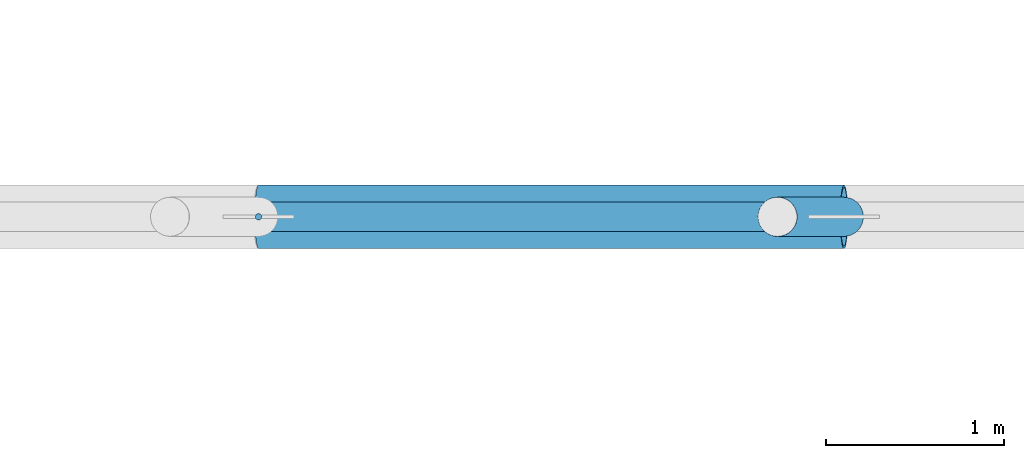
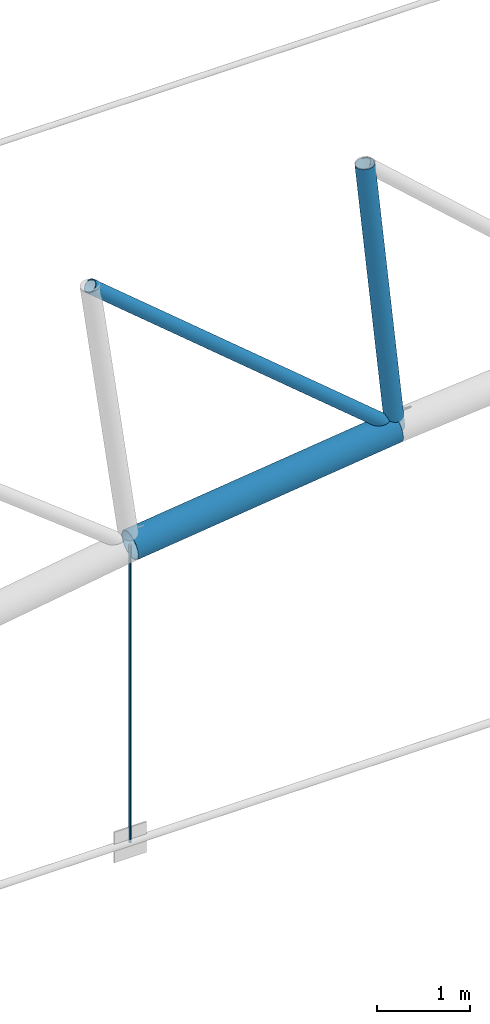
# One storey, part 84 of 321: 4 members.
"""IFC4 building model written with IfcOpenShell, lengths in metres."""

from ifc_helpers import new_model, si_unit, direction, frame, origin, origin_2d, place, context, subcontext, project, spatial, circle, hollow_circle, extrude, material, material_profile, profile_set, type_object, element, save


model = new_model("IFC4")

# Units and contexts
model_context = context("Model", 3, precision=1e-05, world=origin(), true_north=direction((0.0, 1.0)))
body_context = subcontext(model_context, "Body", "Model", "MODEL_VIEW")
ifc_project = project(units=[si_unit("LENGTHUNIT", "METRE"), si_unit("AREAUNIT", "SQUARE_METRE"), si_unit("VOLUMEUNIT", "CUBIC_METRE"), si_unit("PLANEANGLEUNIT", "RADIAN"), si_unit("MASSUNIT", "GRAM", prefix="KILO")], contexts=[model_context])

# Site, building, storey
site_placement = place(None, origin())
site = spatial("IfcSite", under=ifc_project, at=site_placement, CompositionType="ELEMENT")
building_placement = place(site_placement, origin())
building = spatial("IfcBuilding", under=site, at=building_placement, Name="Ravi Spectrum Wholesale Market", CompositionType="ELEMENT")
storey_placement = place(building_placement, frame((0.0, 0.0, 10.800048828125)))
storey = spatial("IfcBuildingStorey", under=building, at=storey_placement, Name="L02", CompositionType="ELEMENT", Elevation=10.800048828125)

# Members
ifc_material_1 = material(Name="Steel S355", Category="steel")
ifc_material_profile_1 = material_profile(ifc_material_1, hollow_circle(Radius=0.084228515625, WallThickness=0.00634765625, at=origin_2d()))
ifc_profile_set_1 = profile_set([ifc_material_profile_1], Name="Steel S355")
member_type_1 = type_object("IfcMemberType", Name="CHS 168.3x6.3 brace", PredefinedType="BRACE", material=ifc_profile_set_1)
member_1_placement = place(storey_placement, frame((56.321533203125, 126.0, 7.45458984375), z_axis=(0.766252893925, 0.0, -0.642539105854), x_axis=(0.0, 1.0, 0.0)))
element("IfcMember", 1, at=member_1_placement, inside=storey, type_object=member_type_1, Name="H1-MB-L02-727", PredefinedType="BRACE", context=body_context, shape_type="SweptSolid", body=[
    extrude(hollow_circle(Radius=0.084228515625, WallThickness=0.00634765625, at=origin_2d()), origin(), (0.0, 0.0, 1.0), 4.9296875),
])
ifc_material_2 = material(Name="Steel S355", Category="steel")
ifc_material_profile_2 = material_profile(ifc_material_2, hollow_circle(Radius=0.109619140625, WallThickness=0.008056640625, at=origin_2d()))
ifc_profile_set_2 = profile_set([ifc_material_profile_2], Name="Steel S355")
member_type_2 = type_object("IfcMemberType", Name="CHS 219.1x8 post", PredefinedType="POST", material=ifc_profile_set_2)
member_2_placement = place(storey_placement, frame((59.726806640625, 126.0, 7.867919921875), z_axis=(0.103350310801, 0.0, -0.994645018716), x_axis=(0.0, 1.0, 0.0)))
element("IfcMember", 2, at=member_2_placement, inside=storey, type_object=member_type_2, Name="H1-MB-L02-705", PredefinedType="POST", context=body_context, shape_type="SweptSolid", body=[
    extrude(hollow_circle(Radius=0.109619140625, WallThickness=0.008056640625, at=origin_2d()), origin(), (0.0, 0.0, 1.0), 3.60009765625),
])
ifc_material_3 = material(Name="Steel S355", Category="steel")
ifc_material_profile_3 = material_profile(ifc_material_3, hollow_circle(Radius=0.177734375, WallThickness=0.012451171875, at=origin_2d()))
ifc_profile_set_3 = profile_set([ifc_material_profile_3], Name="Steel S355")
member_type_3 = type_object("IfcMemberType", Name="CHS 355.6x12.5 chord", PredefinedType="CHORD", material=ifc_profile_set_3)
member_3_placement = place(storey_placement, frame((56.81689453125, 126.0, 3.888916015625), z_axis=(0.99272014244, 0.0, 0.120443840833), x_axis=(0.0, 1.0, 0.0)))
element("IfcMember", 3, at=member_3_placement, inside=storey, type_object=member_type_3, Name="H1-MB-L02-681", PredefinedType="CHORD", context=body_context, shape_type="SweptSolid", body=[
    extrude(hollow_circle(Radius=0.177734375, WallThickness=0.012451171875, at=origin_2d()), origin(), (0.0, 0.0, 1.0), 3.30615234375),
])
ifc_material_4 = material(Name="Steel S355", Category="steel")
ifc_material_profile_4 = material_profile(ifc_material_4, circle(Radius=0.01806640625, at=origin_2d()))
ifc_profile_set_4 = profile_set([ifc_material_profile_4], Name="Steel S355")
member_type_4 = type_object("IfcMemberType", Name="ROD 36 hanger", PredefinedType="STRUT", material=ifc_profile_set_4)
member_4_placement = place(storey_placement, frame((56.81689453125, 126.0, 0.0), z_axis=(0.0, 0.0, 1.0), x_axis=(1.0, 0.0, 0.0)))
element("IfcMember", 4, at=member_4_placement, inside=storey, type_object=member_type_4, Name="H1-MB-L02-744", PredefinedType="STRUT", context=body_context, shape_type="SweptSolid", body=[
    extrude(circle(Radius=0.01806640625, at=origin_2d()), origin(), (0.0, 0.0, 1.0), 3.888916015625),
])

save(model, "model.ifc")
